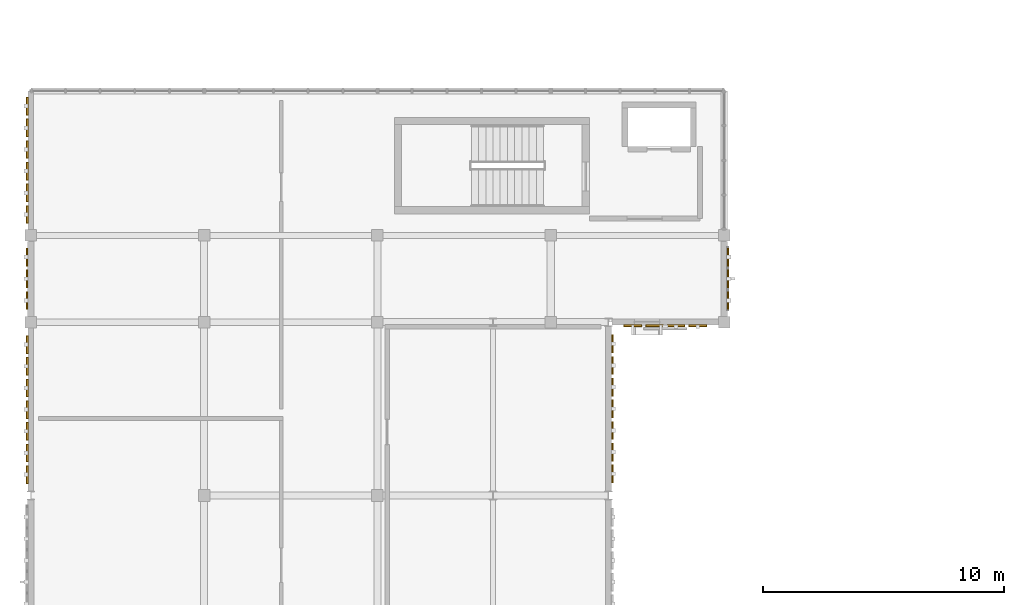
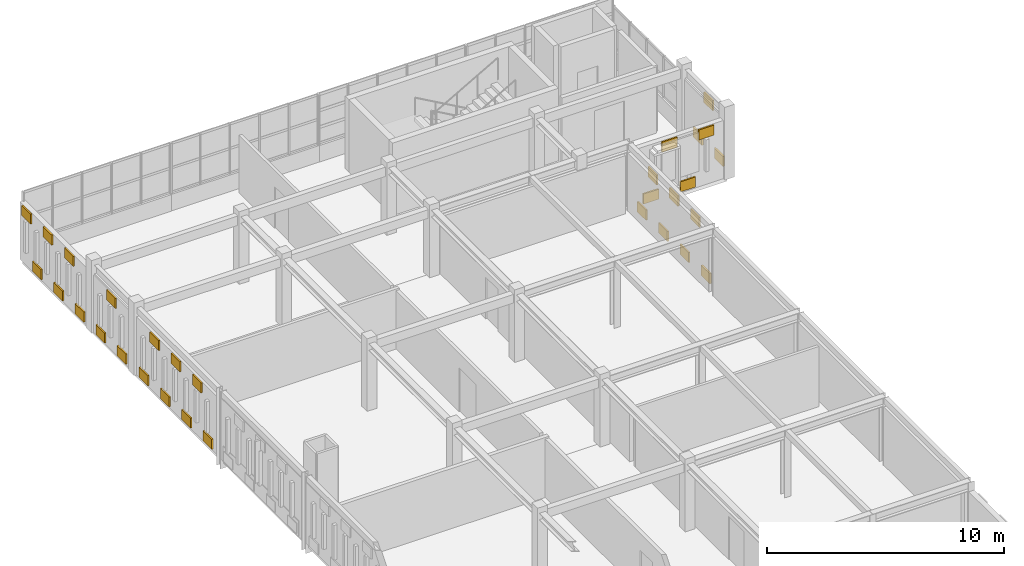
# One storey, part 51 of 53: 30 coverings.
"""IFC4 building model written with IfcOpenShell, lengths in metres."""

from ifc_helpers import new_model, si_unit, direction, frame, origin, origin_2d, place, context, subcontext, project, spatial, rectangle, extrude, material, layer, layer_set, type_object, element, save


model = new_model("IFC4")

# Units and contexts
model_context = context("Model", 3, precision=1e-05, world=origin(), true_north=direction((0.0, 1.0)))
body_context = subcontext(model_context, "Body", "Model", "MODEL_VIEW")
ifc_project = project(units=[si_unit("LENGTHUNIT", "METRE"), si_unit("AREAUNIT", "SQUARE_METRE"), si_unit("VOLUMEUNIT", "CUBIC_METRE"), si_unit("PLANEANGLEUNIT", "RADIAN"), si_unit("MASSUNIT", "GRAM", prefix="KILO")], contexts=[model_context])

# Site, building, storey
site_placement = place(None, origin())
site = spatial("IfcSite", under=ifc_project, at=site_placement, CompositionType="ELEMENT")
building_placement = place(site_placement, origin())
building = spatial("IfcBuilding", under=site, at=building_placement, Name="Nzembalo Square Collegiate School", CompositionType="ELEMENT")
storey_placement = place(building_placement, frame((0.0, 0.0, 13.60009765625)))
storey = spatial("IfcBuildingStorey", under=building, at=storey_placement, Name="L03", CompositionType="ELEMENT", Elevation=13.60009765625)

# Coverings
ifc_material = material(Name="Glazed cobalt ceramic patterned tile")
ifc_layer = layer(ifc_material, 0.074951171875, Name="Glazed cobalt ceramic patterned tile")
ifc_layer_set = layer_set([ifc_layer], Name="Glazed cobalt ceramic patterned tile")
covering_type = type_object("IfcCoveringType", Name="CL01", PredefinedType="CLADDING", material=ifc_layer_set)
for number, where, z_axis, x_axis, name in (
    (1, (8.25, 72.864990234375, 0.099853515625), (0.0, 0.0, 1.0), (1.0, 0.0, 0.0), "Patterned ceramic tile CL01-Y0229-0-0"),
    (2, (8.25, 73.764892578125, 2.458984375), (0.0, 0.0, 1.0), (1.0, 0.0, 0.0), "Patterned ceramic tile CL01-Y0229-1-1"),
    (3, (8.25, 74.6650390625, 0.099853515625), (0.0, 0.0, 1.0), (1.0, 0.0, 0.0), "Patterned ceramic tile CL01-Y0229-2-0"),
    (4, (8.25, 75.56494140625, 2.458984375), (0.0, 0.0, 1.0), (1.0, 0.0, 0.0), "Patterned ceramic tile CL01-Y0229-3-1"),
    (5, (8.25, 76.465087890625, 0.099853515625), (0.0, 0.0, 1.0), (1.0, 0.0, 0.0), "Patterned ceramic tile CL01-Y0229-4-0"),
    (6, (8.25, 77.364990234375, 2.458984375), (0.0, 0.0, 1.0), (1.0, 0.0, 0.0), "Patterned ceramic tile CL01-Y0229-5-1"),
    (7, (8.25, 78.264892578125, 0.099853515625), (0.0, 0.0, 1.0), (1.0, 0.0, 0.0), "Patterned ceramic tile CL01-Y0229-6-0"),
    (8, (8.239990234375, 80.10009765625, 0.099853515625), (0.0, 0.0, 1.0), (1.0, 0.0, 0.0), "Patterned ceramic tile CL01-Y0230-0-0"),
    (9, (8.239990234375, 81.0, 2.428955078125), (0.0, 0.0, 1.0), (1.0, 0.0, 0.0), "Patterned ceramic tile CL01-Y0230-1-1"),
    (10, (8.239990234375, 81.89990234375, 0.099853515625), (0.0, 0.0, 1.0), (1.0, 0.0, 0.0), "Patterned ceramic tile CL01-Y0230-2-0"),
    (11, (8.25, 83.6708984375, 0.099853515625), (0.0, 0.0, 1.0), (1.0, 0.0, 0.0), "Patterned ceramic tile CL01-Y0231-0-0"),
    (12, (8.25, 84.571044921875, 2.428955078125), (0.0, 0.0, 1.0), (1.0, 0.0, 0.0), "Patterned ceramic tile CL01-Y0231-1-1"),
    (13, (8.25, 85.470947265625, 0.099853515625), (0.0, 0.0, 1.0), (1.0, 0.0, 0.0), "Patterned ceramic tile CL01-Y0231-2-0"),
    (14, (8.25, 86.37109375, 2.428955078125), (0.0, 0.0, 1.0), (1.0, 0.0, 0.0), "Patterned ceramic tile CL01-Y0231-3-1"),
    (15, (8.25, 87.27099609375, 0.099853515625), (0.0, 0.0, 1.0), (1.0, 0.0, 0.0), "Patterned ceramic tile CL01-Y0231-4-0"),
    (16, (8.25, 88.1708984375, 2.428955078125), (0.0, 0.0, 1.0), (1.0, 0.0, 0.0), "Patterned ceramic tile CL01-Y0231-5-1"),
    (17, (37.360107421875, 80.10009765625, 0.099853515625), (0.0, 0.0, 1.0), (1.0, 0.0, 0.0), "Patterned ceramic tile CL01-Y0232-0-0"),
    (18, (37.360107421875, 81.0, 2.428955078125), (0.0, 0.0, 1.0), (1.0, 0.0, 0.0), "Patterned ceramic tile CL01-Y0232-1-1"),
    (19, (37.360107421875, 81.89990234375, 0.099853515625), (0.0, 0.0, 1.0), (1.0, 0.0, 0.0), "Patterned ceramic tile CL01-Y0232-2-0"),
):
    element("IfcCovering", number, at=place(storey_placement, frame(where, z_axis=z_axis, x_axis=x_axis)), inside=storey, type_object=covering_type, Name=name, PredefinedType="CLADDING", context=body_context, shape_type="SweptSolid", body=[
        extrude(rectangle(XDim=0.074951171875, YDim=0.739990234375, at=origin_2d()), origin(), (0.0, 0.0, 1.0), 0.52001953125),
    ])
for number, where, z_axis, x_axis, name in (
    (20, (33.405029296875, 79.050048828125, 0.099853515625), (0.0, 0.0, 1.0), (1.0, 0.0, 0.0), "Patterned ceramic tile CL01-X0233-0-0"),
    (21, (34.304931640625, 79.050048828125, 2.458984375), (0.0, 0.0, 1.0), (1.0, 0.0, 0.0), "Patterned ceramic tile CL01-X0233-1-1"),
    (22, (35.205078125, 79.050048828125, 0.099853515625), (0.0, 0.0, 1.0), (1.0, 0.0, 0.0), "Patterned ceramic tile CL01-X0233-2-0"),
    (23, (36.10498046875, 79.050048828125, 2.458984375), (0.0, 0.0, 1.0), (1.0, 0.0, 0.0), "Patterned ceramic tile CL01-X0233-3-1"),
):
    element("IfcCovering", number, at=place(storey_placement, frame(where, z_axis=z_axis, x_axis=x_axis)), inside=storey, type_object=covering_type, Name=name, PredefinedType="CLADDING", context=body_context, shape_type="SweptSolid", body=[
        extrude(rectangle(XDim=0.739990234375, YDim=0.074951171875, at=origin_2d()), origin(), (0.0, 0.0, 1.0), 0.52001953125),
    ])
for number, where, z_axis, x_axis, name in (
    (24, (32.56005859375, 72.89990234375, 0.099853515625), (0.0, 0.0, 1.0), (1.0, 0.0, 0.0), "Patterned ceramic tile CL01-Y0238-0-0"),
    (25, (32.56005859375, 73.800048828125, 2.458984375), (0.0, 0.0, 1.0), (1.0, 0.0, 0.0), "Patterned ceramic tile CL01-Y0238-1-1"),
    (26, (32.56005859375, 74.699951171875, 0.099853515625), (0.0, 0.0, 1.0), (1.0, 0.0, 0.0), "Patterned ceramic tile CL01-Y0238-2-0"),
    (27, (32.56005859375, 75.60009765625, 2.458984375), (0.0, 0.0, 1.0), (1.0, 0.0, 0.0), "Patterned ceramic tile CL01-Y0238-3-1"),
    (28, (32.56005859375, 76.5, 0.099853515625), (0.0, 0.0, 1.0), (1.0, 0.0, 0.0), "Patterned ceramic tile CL01-Y0238-4-0"),
    (29, (32.56005859375, 77.39990234375, 2.458984375), (0.0, 0.0, 1.0), (1.0, 0.0, 0.0), "Patterned ceramic tile CL01-Y0238-5-1"),
    (30, (32.56005859375, 78.300048828125, 0.099853515625), (0.0, 0.0, 1.0), (1.0, 0.0, 0.0), "Patterned ceramic tile CL01-Y0238-6-0"),
):
    element("IfcCovering", number, at=place(storey_placement, frame(where, z_axis=z_axis, x_axis=x_axis)), inside=storey, type_object=covering_type, Name=name, PredefinedType="CLADDING", context=body_context, shape_type="SweptSolid", body=[
        extrude(rectangle(XDim=0.074951171875, YDim=0.739990234375, at=origin_2d()), origin(), (0.0, 0.0, 1.0), 0.52001953125),
    ])

save(model, "model.ifc")
